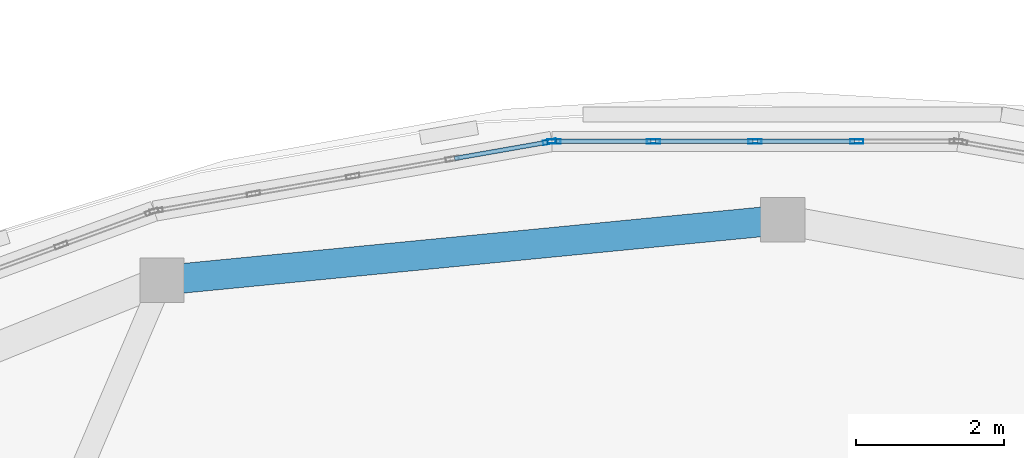
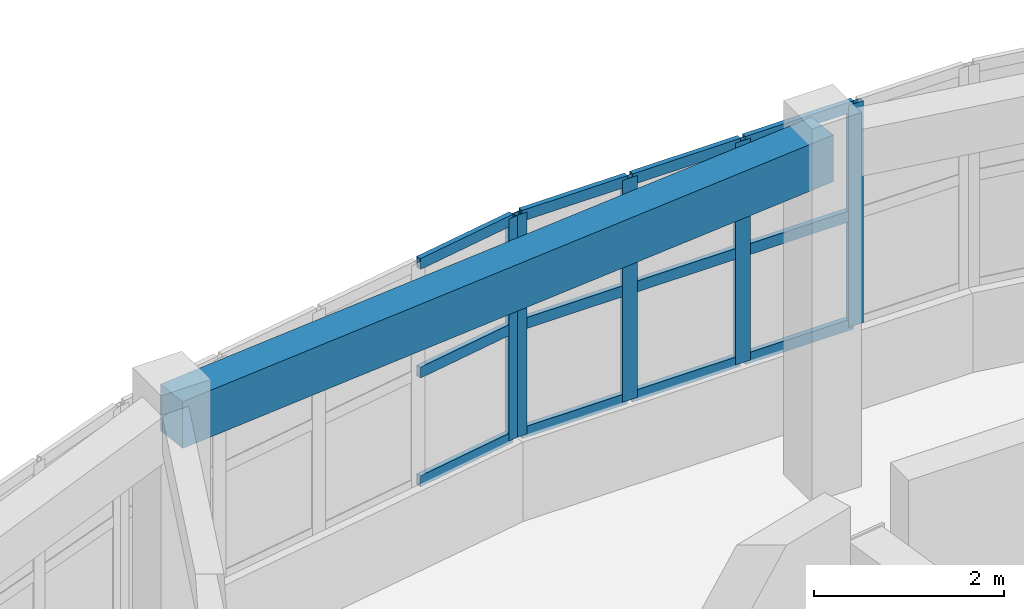
# One storey, part 32 of 69: 17 members, 1 beam, 2 elements without a shape of their own.
"""IFC4 building model written with IfcOpenShell, lengths in metres."""

from ifc_helpers import new_model, si_unit, direction, frame, origin, origin_2d, place, context, subcontext, project, spatial, rectangle, hollow_rectangle, extrude, material, layer, layer_set, material_profile, profile_set, type_object, element, aggregate, save


model = new_model("IFC4")

# Units and contexts
model_context = context("Model", 3, precision=1e-05, world=origin(), true_north=direction((0.0, 1.0)))
body_context = subcontext(model_context, "Body", "Model", "MODEL_VIEW")
ifc_project = project(units=[si_unit("LENGTHUNIT", "METRE"), si_unit("AREAUNIT", "SQUARE_METRE"), si_unit("VOLUMEUNIT", "CUBIC_METRE"), si_unit("PLANEANGLEUNIT", "RADIAN"), si_unit("MASSUNIT", "GRAM", prefix="KILO")], contexts=[model_context])

# Site, building, storey
site_placement = place(None, origin())
site = spatial("IfcSite", under=ifc_project, at=site_placement, CompositionType="ELEMENT")
building_placement = place(site_placement, origin())
building = spatial("IfcBuilding", under=site, at=building_placement, Name="Pelvatis Terrace Science Centre", CompositionType="ELEMENT")
storey_placement = place(building_placement, frame((0.0, 0.0, 15.0)))
storey = spatial("IfcBuildingStorey", under=building, at=storey_placement, Name="L03", CompositionType="ELEMENT", Elevation=15.0)

# Beam
ifc_material_1 = material(Name="Concrete C35/45", Category="concrete")
ifc_material_profile_1 = material_profile(ifc_material_1, rectangle(XDim=0.39990234375, YDim=0.60009765625, at=origin_2d()), Name="RC-BM 400x600")
ifc_profile_set_1 = profile_set([ifc_material_profile_1], Name="Concrete C35/45")
beam_type = type_object("IfcBeamType", Name="BM-RC-400x600", PredefinedType="BEAM", material=ifc_profile_set_1)
beam_placement = place(storey_placement, frame((110.4716796875, 104.4736328125, 4.25), z_axis=(-0.995278052194, -0.097064920652, 0.0), x_axis=(0.097064920652, -0.995278052194, 0.0)))
element("IfcBeam", 1, at=beam_placement, inside=storey, type_object=beam_type, Name="Beam BM-L03-3018", PredefinedType="BEAM", context=body_context, shape_type="SweptSolid", body=[
    extrude(rectangle(XDim=0.39990234375, YDim=0.60009765625, at=origin_2d()), origin(), (0.0, 0.0, 1.0), 8.416015625),
])

# Curtain wall, members
ifc_material_2 = material(Name="Bronze-anodised aluminium and laminated glass", Category="aluminium")
ifc_layer = layer(ifc_material_2, 0.179931640625)
ifc_layer_set = layer_set([ifc_layer], Name="Bronze-anodised aluminium and laminated glass")
curtain_wall_type = type_object("IfcCurtainWallType", Name="CW-RIBBON-A", PredefinedType="NOTDEFINED", material=ifc_layer_set)
curtain_wall_1_placement = place(storey_placement, origin())
curtain_wall_1 = element("IfcCurtainWall", 2, at=curtain_wall_1_placement, inside=storey, type_object=curtain_wall_type, Name="Ribbon curtain wall CW-190 (L03)", PredefinedType="NOTDEFINED")
ifc_material_3 = material(Name="Bronze-anodised aluminium 6063-T6", Category="aluminium")
ifc_material_profile_2 = material_profile(ifc_material_3, hollow_rectangle(XDim=0.06005859375, YDim=0.179931640625, WallThickness=0.00390625, at=origin_2d()), Name="ALU-MUL 60x180")
ifc_profile_set_2 = profile_set([ifc_material_profile_2], Name="Bronze-anodised aluminium 6063-T6")
member_type_1 = type_object("IfcMemberType", Name="CWM-60x180", PredefinedType="MULLION", material=ifc_profile_set_2)
member_1_placement = place(storey_placement, frame((111.471923828125, 105.531494140625, 1.02001953125), z_axis=(0.0, 0.0, 1.0), x_axis=(0.0, -1.0, 0.0)))
member_1 = element("IfcMember", 3, at=member_1_placement, type_object=member_type_1, Name="CW-190 mullion 2", PredefinedType="MULLION", context=body_context, shape_type="SweptSolid", body=[
    extrude(hollow_rectangle(XDim=0.06005859375, YDim=0.179931640625, WallThickness=0.00390625, at=origin_2d()), origin(), (0.0, 0.0, 1.0), 2.85009765625),
])
member_2_placement = place(storey_placement, frame((110.10009765625, 105.531494140625, 1.02001953125), z_axis=(0.0, 0.0, 1.0), x_axis=(0.0, -1.0, 0.0)))
member_2 = element("IfcMember", 4, at=member_2_placement, type_object=member_type_1, Name="CW-190 mullion 3", PredefinedType="MULLION", context=body_context, shape_type="SweptSolid", body=[
    extrude(hollow_rectangle(XDim=0.06005859375, YDim=0.179931640625, WallThickness=0.00390625, at=origin_2d()), origin(), (0.0, 0.0, 1.0), 2.85009765625),
])
member_3_placement = place(storey_placement, frame((108.72802734375, 105.531494140625, 1.02001953125), z_axis=(0.0, 0.0, 1.0), x_axis=(0.0, -1.0, 0.0)))
member_3 = element("IfcMember", 5, at=member_3_placement, type_object=member_type_1, Name="CW-190 mullion 4", PredefinedType="MULLION", context=body_context, shape_type="SweptSolid", body=[
    extrude(hollow_rectangle(XDim=0.06005859375, YDim=0.179931640625, WallThickness=0.00390625, at=origin_2d()), origin(), (0.0, 0.0, 1.0), 2.85009765625),
])
member_4_placement = place(storey_placement, frame((107.385986328125, 105.531494140625, 1.02001953125), z_axis=(0.0, 0.0, 1.0), x_axis=(0.0, -1.0, 0.0)))
member_4 = element("IfcMember", 6, at=member_4_placement, type_object=member_type_1, Name="CW-190 mullion 5", PredefinedType="MULLION", context=body_context, shape_type="SweptSolid", body=[
    extrude(hollow_rectangle(XDim=0.06005859375, YDim=0.179931640625, WallThickness=0.00390625, at=origin_2d()), origin(), (0.0, 0.0, 1.0), 2.85009765625),
])

# Curtain wall, member
curtain_wall_2_placement = place(storey_placement, origin())
curtain_wall_2 = element("IfcCurtainWall", 7, at=curtain_wall_2_placement, inside=storey, type_object=curtain_wall_type, Name="Ribbon curtain wall CW-191 (L03)", PredefinedType="NOTDEFINED")
member_5_placement = place(storey_placement, frame((107.32666015625, 105.526123046875, 1.02001953125), z_axis=(0.0, 0.0, 1.0), x_axis=(0.172671428067, -0.984979480969, 0.0)))
member_5 = element("IfcMember", 8, at=member_5_placement, type_object=member_type_1, Name="CW-191 mullion 1", PredefinedType="MULLION", context=body_context, shape_type="SweptSolid", body=[
    extrude(hollow_rectangle(XDim=0.06005859375, YDim=0.179931640625, WallThickness=0.00390625, at=origin_2d()), origin(), (0.0, 0.0, 1.0), 2.85009765625),
])

# Member
ifc_material_4 = material(Name="Bronze-anodised aluminium 6063-T6", Category="aluminium")
ifc_material_profile_3 = material_profile(ifc_material_4, hollow_rectangle(XDim=0.06005859375, YDim=0.139892578125, WallThickness=0.00390625, at=origin_2d()), Name="ALU-TRN 60x140")
ifc_profile_set_3 = profile_set([ifc_material_profile_3], Name="Bronze-anodised aluminium 6063-T6")
member_type_2 = type_object("IfcMemberType", Name="CWT-60x140", PredefinedType="USERDEFINED", material=ifc_profile_set_3)
member_6_placement = place(storey_placement, frame((111.44189453125, 105.531494140625, 1.050048828125), z_axis=(-1.0, 0.0, 0.0), x_axis=(0.0, -1.0, 0.0)))
member_6 = element("IfcMember", 9, at=member_6_placement, type_object=member_type_2, Name="CW-190 transom 2.1", ObjectType="TRANSOM", PredefinedType="USERDEFINED", context=body_context, shape_type="SweptSolid", body=[
    extrude(hollow_rectangle(XDim=0.06005859375, YDim=0.139892578125, WallThickness=0.00390625, at=origin_2d()), origin(), (0.0, 0.0, 1.0), 1.31201171875),
])

member_7_placement = place(storey_placement, frame((111.44189453125, 105.531494140625, 2.445068359375), z_axis=(-1.0, 0.0, 0.0), x_axis=(0.0, -1.0, 0.0)))
member_7 = element("IfcMember", 10, at=member_7_placement, type_object=member_type_2, Name="CW-190 transom 2.2", ObjectType="TRANSOM", PredefinedType="USERDEFINED", context=body_context, shape_type="SweptSolid", body=[
    extrude(hollow_rectangle(XDim=0.06005859375, YDim=0.139892578125, WallThickness=0.00390625, at=origin_2d()), origin(), (0.0, 0.0, 1.0), 1.31201171875),
])

member_8_placement = place(storey_placement, frame((111.44189453125, 105.531494140625, 3.840087890625), z_axis=(-1.0, 0.0, 0.0), x_axis=(0.0, -1.0, 0.0)))
member_8 = element("IfcMember", 11, at=member_8_placement, type_object=member_type_2, Name="CW-190 transom 2.3", ObjectType="TRANSOM", PredefinedType="USERDEFINED", context=body_context, shape_type="SweptSolid", body=[
    extrude(hollow_rectangle(XDim=0.06005859375, YDim=0.139892578125, WallThickness=0.00390625, at=origin_2d()), origin(), (0.0, 0.0, 1.0), 1.31201171875),
])

member_9_placement = place(storey_placement, frame((110.070068359375, 105.531494140625, 1.050048828125), z_axis=(-1.0, 0.0, 0.0), x_axis=(0.0, -1.0, 0.0)))
member_9 = element("IfcMember", 12, at=member_9_placement, type_object=member_type_2, Name="CW-190 transom 3.1", ObjectType="TRANSOM", PredefinedType="USERDEFINED", context=body_context, shape_type="SweptSolid", body=[
    extrude(hollow_rectangle(XDim=0.06005859375, YDim=0.139892578125, WallThickness=0.00390625, at=origin_2d()), origin(), (0.0, 0.0, 1.0), 1.31201171875),
])

member_10_placement = place(storey_placement, frame((110.070068359375, 105.531494140625, 2.445068359375), z_axis=(-1.0, 0.0, 0.0), x_axis=(0.0, -1.0, 0.0)))
member_10 = element("IfcMember", 13, at=member_10_placement, type_object=member_type_2, Name="CW-190 transom 3.2", ObjectType="TRANSOM", PredefinedType="USERDEFINED", context=body_context, shape_type="SweptSolid", body=[
    extrude(hollow_rectangle(XDim=0.06005859375, YDim=0.139892578125, WallThickness=0.00390625, at=origin_2d()), origin(), (0.0, 0.0, 1.0), 1.31201171875),
])

member_11_placement = place(storey_placement, frame((110.070068359375, 105.531494140625, 3.840087890625), z_axis=(-1.0, 0.0, 0.0), x_axis=(0.0, -1.0, 0.0)))
member_11 = element("IfcMember", 14, at=member_11_placement, type_object=member_type_2, Name="CW-190 transom 3.3", ObjectType="TRANSOM", PredefinedType="USERDEFINED", context=body_context, shape_type="SweptSolid", body=[
    extrude(hollow_rectangle(XDim=0.06005859375, YDim=0.139892578125, WallThickness=0.00390625, at=origin_2d()), origin(), (0.0, 0.0, 1.0), 1.31201171875),
])

member_12_placement = place(storey_placement, frame((108.697998046875, 105.531494140625, 1.050048828125), z_axis=(-1.0, 0.0, 0.0), x_axis=(0.0, -1.0, 0.0)))
member_12 = element("IfcMember", 15, at=member_12_placement, type_object=member_type_2, Name="CW-190 transom 4.1", ObjectType="TRANSOM", PredefinedType="USERDEFINED", context=body_context, shape_type="SweptSolid", body=[
    extrude(hollow_rectangle(XDim=0.06005859375, YDim=0.139892578125, WallThickness=0.00390625, at=origin_2d()), origin(), (0.0, 0.0, 1.0), 1.281982421875),
])

member_13_placement = place(storey_placement, frame((108.697998046875, 105.531494140625, 2.445068359375), z_axis=(-1.0, 0.0, 0.0), x_axis=(0.0, -1.0, 0.0)))
member_13 = element("IfcMember", 16, at=member_13_placement, type_object=member_type_2, Name="CW-190 transom 4.2", ObjectType="TRANSOM", PredefinedType="USERDEFINED", context=body_context, shape_type="SweptSolid", body=[
    extrude(hollow_rectangle(XDim=0.06005859375, YDim=0.139892578125, WallThickness=0.00390625, at=origin_2d()), origin(), (0.0, 0.0, 1.0), 1.281982421875),
])

member_14_placement = place(storey_placement, frame((108.697998046875, 105.531494140625, 3.840087890625), z_axis=(-1.0, 0.0, 0.0), x_axis=(0.0, -1.0, 0.0)))
member_14 = element("IfcMember", 17, at=member_14_placement, type_object=member_type_2, Name="CW-190 transom 4.3", ObjectType="TRANSOM", PredefinedType="USERDEFINED", context=body_context, shape_type="SweptSolid", body=[
    extrude(hollow_rectangle(XDim=0.06005859375, YDim=0.139892578125, WallThickness=0.00390625, at=origin_2d()), origin(), (0.0, 0.0, 1.0), 1.281982421875),
])

aggregate(curtain_wall_1, [member_1, member_2, member_3, member_4, member_6, member_7, member_8, member_9, member_10, member_11, member_12, member_13, member_14])

member_15_placement = place(storey_placement, frame((107.297119140625, 105.52099609375, 1.050048828125), z_axis=(-0.984979930801, -0.172668862042, 0.0), x_axis=(0.172668862042, -0.984979930801, 0.0)))
member_15 = element("IfcMember", 18, at=member_15_placement, type_object=member_type_2, Name="CW-191 transom 1.1", ObjectType="TRANSOM", PredefinedType="USERDEFINED", context=body_context, shape_type="SweptSolid", body=[
    extrude(hollow_rectangle(XDim=0.06005859375, YDim=0.139892578125, WallThickness=0.00390625, at=origin_2d()), origin(), (0.0, 0.0, 1.0), 1.2724609375),
])

member_16_placement = place(storey_placement, frame((107.297119140625, 105.52099609375, 2.445068359375), z_axis=(-0.984979930801, -0.172668862042, 0.0), x_axis=(0.172668862042, -0.984979930801, 0.0)))
member_16 = element("IfcMember", 19, at=member_16_placement, type_object=member_type_2, Name="CW-191 transom 1.2", ObjectType="TRANSOM", PredefinedType="USERDEFINED", context=body_context, shape_type="SweptSolid", body=[
    extrude(hollow_rectangle(XDim=0.06005859375, YDim=0.139892578125, WallThickness=0.00390625, at=origin_2d()), origin(), (0.0, 0.0, 1.0), 1.2724609375),
])

member_17_placement = place(storey_placement, frame((107.297119140625, 105.52099609375, 3.840087890625), z_axis=(-0.984979930801, -0.172668862042, 0.0), x_axis=(0.172668862042, -0.984979930801, 0.0)))
member_17 = element("IfcMember", 20, at=member_17_placement, type_object=member_type_2, Name="CW-191 transom 1.3", ObjectType="TRANSOM", PredefinedType="USERDEFINED", context=body_context, shape_type="SweptSolid", body=[
    extrude(hollow_rectangle(XDim=0.06005859375, YDim=0.139892578125, WallThickness=0.00390625, at=origin_2d()), origin(), (0.0, 0.0, 1.0), 1.2724609375),
])

aggregate(curtain_wall_2, [member_5, member_15, member_16, member_17])

save(model, "model.ifc")
